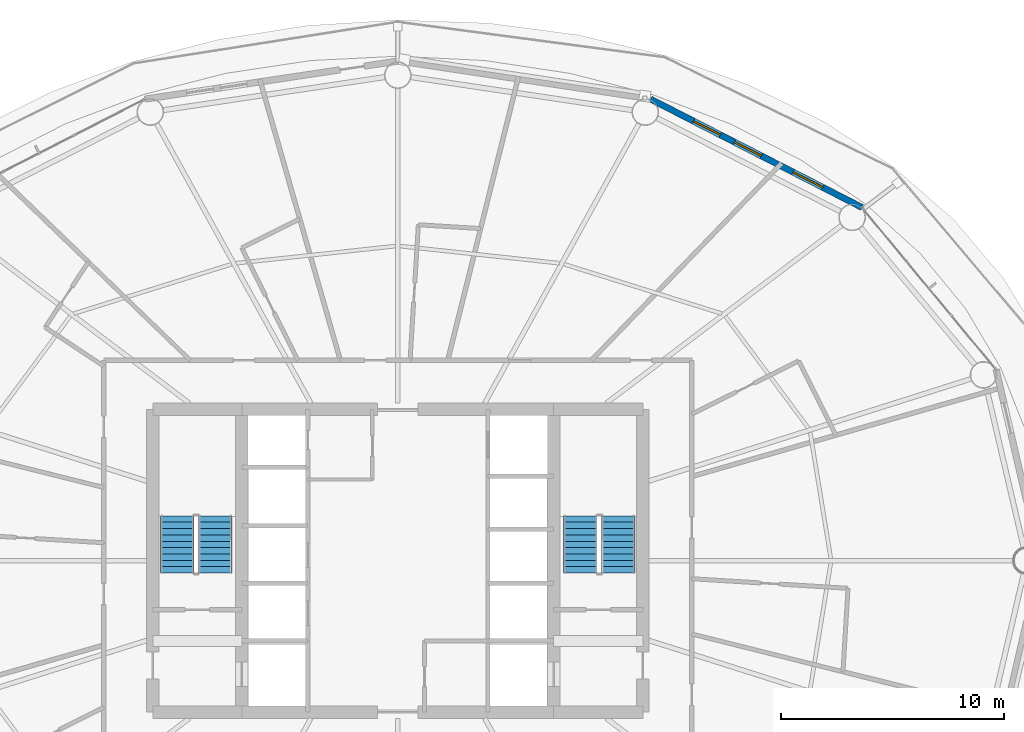
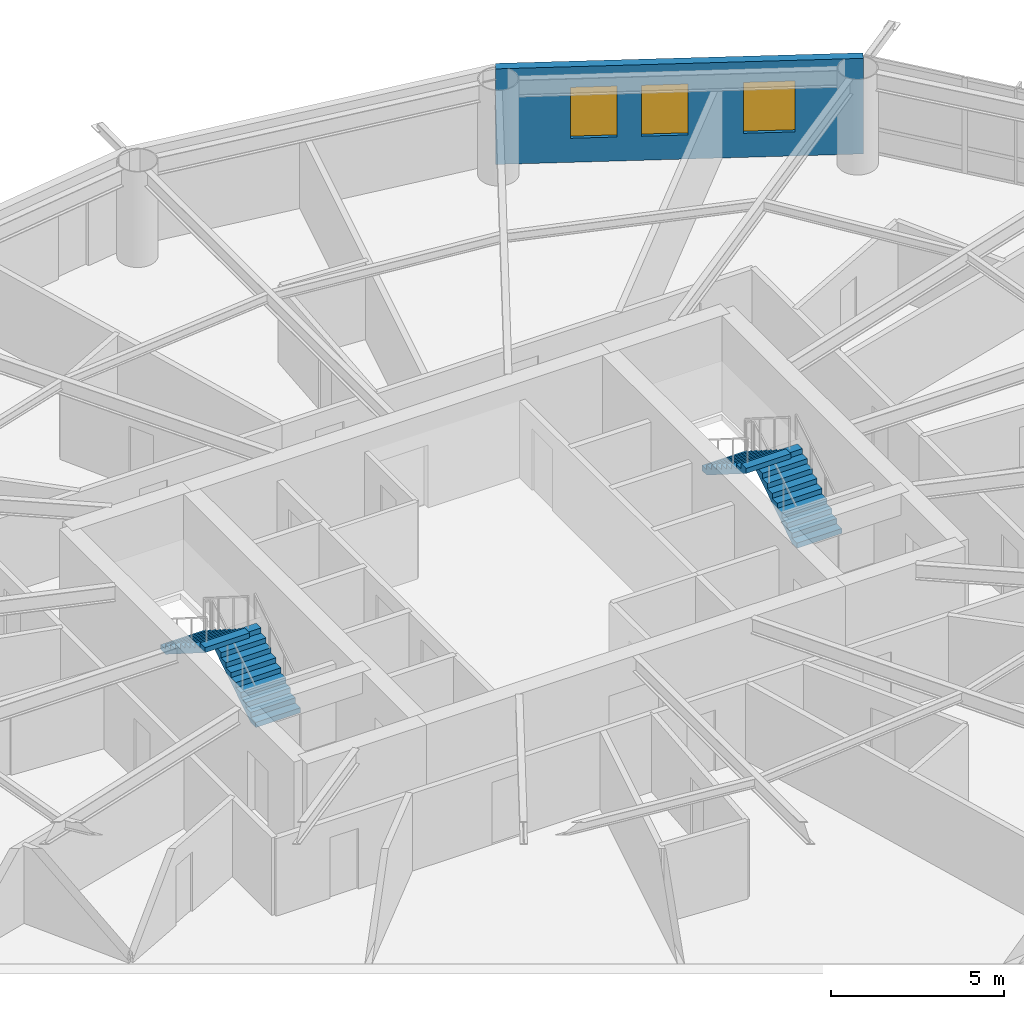
# One storey, part 21 of 24: 4 stair flights, 3 windows, 1 wall, 3 openings, 2 elements without a shape of their own.
"""IFC4 building model written with IfcOpenShell, lengths in metres."""

from ifc_helpers import new_model, si_unit, direction, frame, frame_2d, origin, place, context, subcontext, project, spatial, polyline, rectangle, outline, extrude, material, layer, layer_set, type_object, element, fill, aggregate, save


model = new_model("IFC4")

# Units and contexts
model_context = context("Model", 3, precision=1e-05, world=origin(), true_north=direction((0.0, 1.0)))
body_context = subcontext(model_context, "Body", "Model", "MODEL_VIEW")
ifc_project = project(units=[si_unit("LENGTHUNIT", "METRE"), si_unit("AREAUNIT", "SQUARE_METRE"), si_unit("VOLUMEUNIT", "CUBIC_METRE"), si_unit("PLANEANGLEUNIT", "RADIAN"), si_unit("MASSUNIT", "GRAM", prefix="KILO")], contexts=[model_context])

# Site, building, storey
site_placement = place(None, origin())
site = spatial("IfcSite", under=ifc_project, at=site_placement, CompositionType="ELEMENT")
building_placement = place(site_placement, origin())
building = spatial("IfcBuilding", under=site, at=building_placement, Name="Sarneth Arch Tower", CompositionType="ELEMENT")
storey_placement = place(building_placement, frame((0.0, 0.0, 102.0)))
storey = spatial("IfcBuildingStorey", under=building, at=storey_placement, Name="L25", CompositionType="ELEMENT", Elevation=102.0)

# Wall, openings, windows
ifc_material_1 = material(Name="Extruded terracotta rainscreen on Concrete C40/50 backing", Category="masonry")
ifc_layer = layer(ifc_material_1, 0.280029296875)
ifc_layer_set = layer_set([ifc_layer], Name="Extruded terracotta rainscreen on Concrete C40/50 backing")
wall_type = type_object("IfcWallType", Name="WALL-EXT-TERRA-280", PredefinedType="SOLIDWALL", material=ifc_layer_set)
wall_placement = place(storey_placement, frame((68.840087890625, 57.8603515625, 0.0), z_axis=(0.0, 0.0, 1.0), x_axis=(-0.889959505023, 0.45603955905, 0.0)))
wall = element("IfcWall", 1, at=wall_placement, inside=storey, type_object=wall_type, Name="L25 Terracotta perimeter wall 03", PredefinedType="SOLIDWALL", context=body_context, shape_type="SweptSolid", body=[
    extrude(rectangle(XDim=10.662109375, YDim=0.280029296875, at=frame_2d((5.3310546875, 0.0))), origin(), (0.0, 0.0, 1.0), 3.3798828125),
])
opening_1_placement = place(wall_placement, frame((1.978759765625, 0.0, 0.85009765625)))
opening_1 = element("IfcOpeningElement", 2, at=opening_1_placement, cuts=wall, Name="Opening W-07", PredefinedType="OPENING", context=body_context, shape_type="SweptSolid", body=[
    extrude(rectangle(XDim=1.5, YDim=1.800048828125, at=frame_2d((0.75, 0.89990234375))), frame((0.0, 0.14990234375, 0.0), z_axis=(0.0, -1.0, 0.0), x_axis=(1.0, 0.0, 0.0)), (0.0, 0.0, 1.0), 0.300048828125),
])
opening_2_placement = place(wall_placement, frame((5.081787109375, 0.0, 0.85009765625)))
opening_2 = element("IfcOpeningElement", 3, at=opening_2_placement, cuts=wall, Name="Opening W-08", PredefinedType="OPENING", context=body_context, shape_type="SweptSolid", body=[
    extrude(rectangle(XDim=1.35009765625, YDim=1.800048828125, at=frame_2d((0.675048828125, 0.89990234375))), frame((0.0, 0.14990234375, 0.0), z_axis=(0.0, -1.0, 0.0), x_axis=(1.0, 0.0, 0.0)), (0.0, 0.0, 1.0), 0.300048828125),
])
opening_3_placement = place(wall_placement, frame((7.146484375, 0.0, 0.85009765625)))
opening_3 = element("IfcOpeningElement", 4, at=opening_3_placement, cuts=wall, Name="Opening W-08", PredefinedType="OPENING", context=body_context, shape_type="SweptSolid", body=[
    extrude(rectangle(XDim=1.35009765625, YDim=1.800048828125, at=frame_2d((0.675048828125, 0.89990234375))), frame((0.0, 0.14990234375, 0.0), z_axis=(0.0, -1.0, 0.0), x_axis=(1.0, 0.0, 0.0)), (0.0, 0.0, 1.0), 0.300048828125),
])
ifc_material_2 = material(Name="Thermally broken Aluminium 6063-T6 and low-e laminated IGU", Category="aluminium")
window_type_1 = type_object("IfcWindowType", Name="WIN-TWR-1350x1800", PartitioningType="SINGLE_PANEL", PredefinedType="WINDOW", material=ifc_material_2)
window_1_placement = place(opening_2_placement, origin())
window_1 = element("IfcWindow", 5, at=window_1_placement, inside=storey, type_object=window_type_1, Name="L25 Exterior window 03B", OverallHeight=1.800048828125, OverallWidth=1.35009765625, PartitioningType="SINGLE_PANEL", PredefinedType="WINDOW", context=body_context, shape_type="SweptSolid", body=[
    extrude(rectangle(XDim=1.35009765625, YDim=1.800048828125, at=frame_2d((0.675048828125, 0.89990234375))), frame((0.0, 0.030029296875, 0.0), z_axis=(0.0, -1.0, 0.0), x_axis=(1.0, 0.0, 0.0)), (0.0, 0.0, 1.0), 0.06005859375),
])
fill(opening_2, window_1)
window_2_placement = place(opening_3_placement, origin())
window_2 = element("IfcWindow", 6, at=window_2_placement, inside=storey, type_object=window_type_1, Name="L25 Exterior window 03C", OverallHeight=1.800048828125, OverallWidth=1.35009765625, PartitioningType="SINGLE_PANEL", PredefinedType="WINDOW", context=body_context, shape_type="SweptSolid", body=[
    extrude(rectangle(XDim=1.35009765625, YDim=1.800048828125, at=frame_2d((0.675048828125, 0.89990234375))), frame((0.0, 0.030029296875, 0.0), z_axis=(0.0, -1.0, 0.0), x_axis=(1.0, 0.0, 0.0)), (0.0, 0.0, 1.0), 0.06005859375),
])
fill(opening_3, window_2)
ifc_material_3 = material(Name="Thermally broken Aluminium 6063-T6 and low-e laminated IGU", Category="aluminium")
window_type_2 = type_object("IfcWindowType", Name="WIN-TWR-1500x1800", PartitioningType="SINGLE_PANEL", PredefinedType="WINDOW", material=ifc_material_3)
window_3_placement = place(opening_1_placement, origin())
window_3 = element("IfcWindow", 7, at=window_3_placement, inside=storey, type_object=window_type_2, Name="L25 Exterior window 03A", OverallHeight=1.800048828125, OverallWidth=1.5, PartitioningType="SINGLE_PANEL", PredefinedType="WINDOW", context=body_context, shape_type="SweptSolid", body=[
    extrude(rectangle(XDim=1.5, YDim=1.800048828125, at=frame_2d((0.75, 0.89990234375))), frame((0.0, 0.030029296875, 0.0), z_axis=(0.0, -1.0, 0.0), x_axis=(1.0, 0.0, 0.0)), (0.0, 0.0, 1.0), 0.06005859375),
])
fill(opening_1, window_3)

# Stair, stair flights
ifc_material_4 = material(Name="Concrete C50/60", Category="concrete")
stair_type = type_object("IfcStairType", Name="STAIR-CORE-RC", PredefinedType="HALF_TURN_STAIR", material=ifc_material_4)
stair_1_placement = place(storey_placement, origin())
stair_1 = element("IfcStair", 8, at=stair_1_placement, inside=storey, type_object=stair_type, Name="L25 Core Exit Stair 1", PredefinedType="HALF_TURN_STAIR")
ifc_material_5 = material(Name="Concrete C50/60", Category="concrete")
stair_flight_type = type_object("IfcStairFlightType", Name="FLIGHT-RC-1500", PredefinedType="STRAIGHT", material=ifc_material_5)
stair_flight_1_placement = place(storey_placement, frame((39.800048828125, 41.449951171875, 0.0), z_axis=(0.0, 0.0, 1.0), x_axis=(0.0, 1.0, 0.0)))
stair_flight_1 = element("IfcStairFlight", 9, at=stair_flight_1_placement, type_object=stair_flight_type, Name="ST-1 flight 1", NumberOfRisers=10, NumberOfTreads=9, PredefinedType="STRAIGHT", RiserHeight=0.18, TreadLength=0.285, context=body_context, shape_type="SweptSolid", body=[
    extrude(outline(polyline([(0.0, 0.0), (0.0, 0.179931640625), (0.284912109375, 0.179931640625), (0.284912109375, 0.360107421875), (0.570068359375, 0.360107421875), (0.570068359375, 0.5400390625), (0.85498046875, 0.5400390625), (0.85498046875, 0.719970703125), (1.139892578125, 0.719970703125), (1.139892578125, 0.89990234375), (1.425048828125, 0.89990234375), (1.425048828125, 1.080078125), (1.7099609375, 1.080078125), (1.7099609375, 1.260009765625), (1.9951171875, 1.260009765625), (1.9951171875, 1.43994140625), (2.280029296875, 1.43994140625), (2.280029296875, 1.6201171875), (2.56494140625, 1.6201171875), (2.56494140625, 1.800048828125), (2.56494140625, 1.442626953125), (0.28076171875, 0.0), (0.0, 0.0)])), frame((0.0, 0.75, 0.0), z_axis=(0.0, -1.0, 0.0), x_axis=(1.0, 0.0, 0.0)), (0.0, 0.0, 1.0), 1.5),
])
stair_flight_2_placement = place(storey_placement, frame((38.10009765625, 44.014892578125, 1.800048828125), z_axis=(0.0, 0.0, 1.0), x_axis=(0.0, -1.0, 0.0)))
stair_flight_2 = element("IfcStairFlight", 10, at=stair_flight_2_placement, type_object=stair_flight_type, Name="ST-1 flight 2", NumberOfRisers=10, NumberOfTreads=9, PredefinedType="STRAIGHT", RiserHeight=0.18, TreadLength=0.285, context=body_context, shape_type="SweptSolid", body=[
    extrude(outline(polyline([(0.0, 0.0), (0.0, 0.179931640625), (0.284912109375, 0.179931640625), (0.284912109375, 0.360107421875), (0.570068359375, 0.360107421875), (0.570068359375, 0.5400390625), (0.85498046875, 0.5400390625), (0.85498046875, 0.719970703125), (1.139892578125, 0.719970703125), (1.139892578125, 0.89990234375), (1.425048828125, 0.89990234375), (1.425048828125, 1.080078125), (1.7099609375, 1.080078125), (1.7099609375, 1.260009765625), (1.9951171875, 1.260009765625), (1.9951171875, 1.43994140625), (2.280029296875, 1.43994140625), (2.280029296875, 1.6201171875), (2.56494140625, 1.6201171875), (2.56494140625, 1.800048828125), (2.56494140625, 1.442626953125), (0.28076171875, 0.0), (0.0, 0.0)])), frame((0.0, 0.75, 0.0), z_axis=(0.0, -1.0, 0.0), x_axis=(1.0, 0.0, 0.0)), (0.0, 0.0, 1.0), 1.5),
])
aggregate(stair_1, [stair_flight_1, stair_flight_2])

stair_2_placement = place(storey_placement, origin())
stair_2 = element("IfcStair", 11, at=stair_2_placement, inside=storey, type_object=stair_type, Name="L25 Core Exit Stair 2", PredefinedType="HALF_TURN_STAIR")
stair_flight_3_placement = place(storey_placement, frame((57.89990234375, 41.449951171875, 0.0), z_axis=(0.0, 0.0, 1.0), x_axis=(0.0, 1.0, 0.0)))
stair_flight_3 = element("IfcStairFlight", 12, at=stair_flight_3_placement, type_object=stair_flight_type, Name="ST-2 flight 1", NumberOfRisers=10, NumberOfTreads=9, PredefinedType="STRAIGHT", RiserHeight=0.18, TreadLength=0.285, context=body_context, shape_type="SweptSolid", body=[
    extrude(outline(polyline([(0.0, 0.0), (0.0, 0.179931640625), (0.284912109375, 0.179931640625), (0.284912109375, 0.360107421875), (0.570068359375, 0.360107421875), (0.570068359375, 0.5400390625), (0.85498046875, 0.5400390625), (0.85498046875, 0.719970703125), (1.139892578125, 0.719970703125), (1.139892578125, 0.89990234375), (1.425048828125, 0.89990234375), (1.425048828125, 1.080078125), (1.7099609375, 1.080078125), (1.7099609375, 1.260009765625), (1.9951171875, 1.260009765625), (1.9951171875, 1.43994140625), (2.280029296875, 1.43994140625), (2.280029296875, 1.6201171875), (2.56494140625, 1.6201171875), (2.56494140625, 1.800048828125), (2.56494140625, 1.442626953125), (0.28076171875, 0.0), (0.0, 0.0)])), frame((0.0, 0.75, 0.0), z_axis=(0.0, -1.0, 0.0), x_axis=(1.0, 0.0, 0.0)), (0.0, 0.0, 1.0), 1.5),
])
stair_flight_4_placement = place(storey_placement, frame((56.199951171875, 44.014892578125, 1.800048828125), z_axis=(0.0, 0.0, 1.0), x_axis=(0.0, -1.0, 0.0)))
stair_flight_4 = element("IfcStairFlight", 13, at=stair_flight_4_placement, type_object=stair_flight_type, Name="ST-2 flight 2", NumberOfRisers=10, NumberOfTreads=9, PredefinedType="STRAIGHT", RiserHeight=0.18, TreadLength=0.285, context=body_context, shape_type="SweptSolid", body=[
    extrude(outline(polyline([(0.0, 0.0), (0.0, 0.179931640625), (0.284912109375, 0.179931640625), (0.284912109375, 0.360107421875), (0.570068359375, 0.360107421875), (0.570068359375, 0.5400390625), (0.85498046875, 0.5400390625), (0.85498046875, 0.719970703125), (1.139892578125, 0.719970703125), (1.139892578125, 0.89990234375), (1.425048828125, 0.89990234375), (1.425048828125, 1.080078125), (1.7099609375, 1.080078125), (1.7099609375, 1.260009765625), (1.9951171875, 1.260009765625), (1.9951171875, 1.43994140625), (2.280029296875, 1.43994140625), (2.280029296875, 1.6201171875), (2.56494140625, 1.6201171875), (2.56494140625, 1.800048828125), (2.56494140625, 1.442626953125), (0.28076171875, 0.0), (0.0, 0.0)])), frame((0.0, 0.75, 0.0), z_axis=(0.0, -1.0, 0.0), x_axis=(1.0, 0.0, 0.0)), (0.0, 0.0, 1.0), 1.5),
])
aggregate(stair_2, [stair_flight_3, stair_flight_4])

save(model, "model.ifc")
